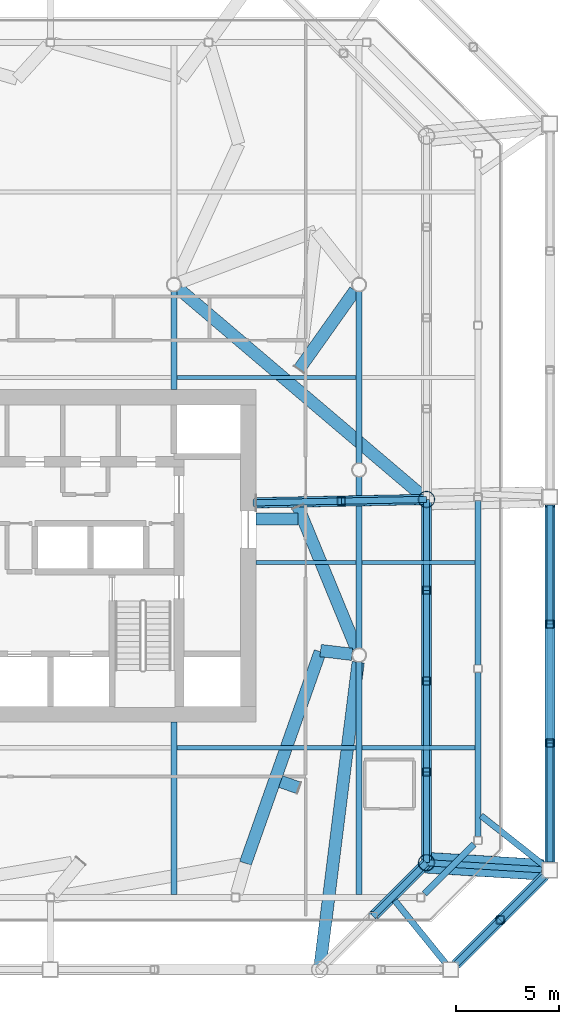
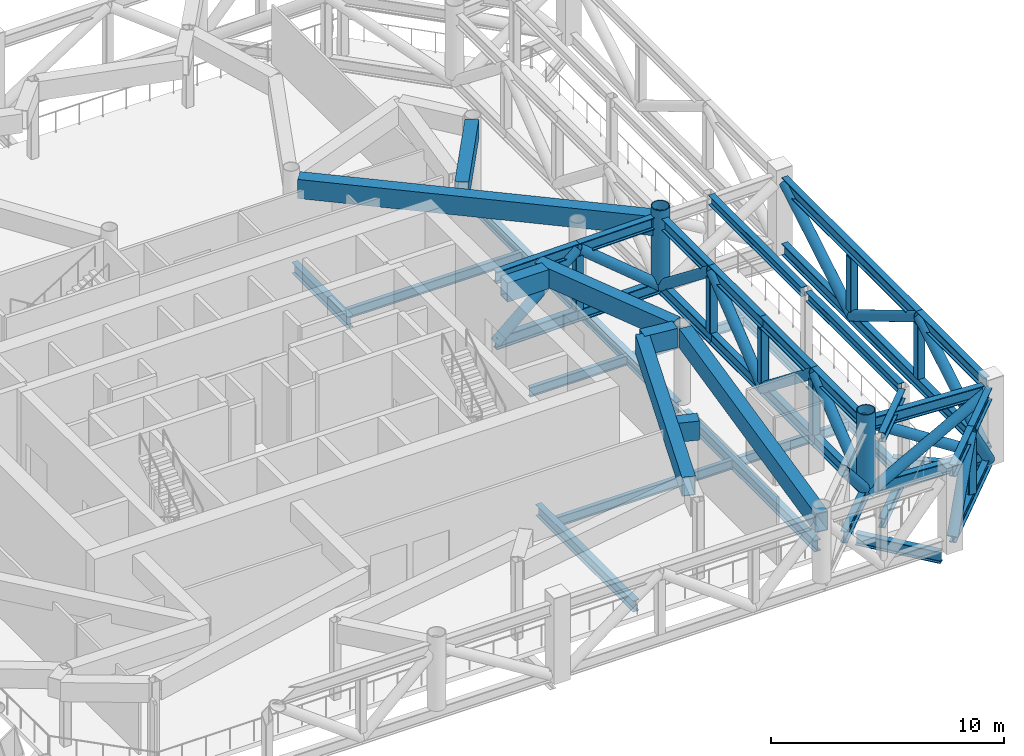
# One storey, part 5 of 21: 48 beams, 23 members.
"""IFC4 building model written with IfcOpenShell, lengths in metres."""

import ifcopenshell
import ifcopenshell.guid

model = None  # the IFC model being written
_history = None  # IfcOwnerHistory: only IFC2X3 demands one
_inside = {}  # id of a spatial element -> (the spatial element, [elements in it])
_under = {}  # id of a project, library or spatial element -> (it, [spatial elements below it])
_declared = {}  # id of a project -> (the project, [libraries it declares])
_typed = {}  # id of a type object -> (the type object, [elements of that type])
_made_of = {}  # id of a material, layer set ... -> (it, [elements and type objects made of it])


def new_model(schema):
    """Start an empty IFC model of exactly this schema.

    Asked for "IFC4X3", IfcOpenShell would pick the latest addendum, in which some entities
    have other attributes; the version numbers below select the first issue.
    IFC2X3 requires an IfcOwnerHistory on every rooted entity: one is made here for all.
    """
    global model, _history
    if schema == "IFC4X3":
        model = ifcopenshell.file(schema_version=(4, 3, 0, 0))
    else:
        model = ifcopenshell.file(schema=schema)
    _inside.clear()
    _under.clear()
    _declared.clear()
    _typed.clear()
    _made_of.clear()
    _history = None
    if model.schema == "IFC2X3":
        org = make("IfcOrganization", Name="unknown")
        user = make(
            "IfcPersonAndOrganization",
            ThePerson=make("IfcPerson", FamilyName="unknown"),
            TheOrganization=org,
        )
        app = make(
            "IfcApplication",
            ApplicationDeveloper=org,
            Version="unknown",
            ApplicationFullName="unknown",
            ApplicationIdentifier="unknown",
        )
        _history = make(
            "IfcOwnerHistory",
            OwningUser=user,
            OwningApplication=app,
            ChangeAction="ADDED",
            CreationDate=0,
        )
    return model


def make(cls, **values):
    """One entity of the class cls with the attributes given. An attribute that is None is left unset."""
    return model.create_entity(
        cls, **{name: value for name, value in values.items() if value is not None}
    )


def rooted(cls, **values):
    """An entity with a GlobalId (a new one), such as an element, a storey or a relation."""
    return make(cls, GlobalId=ifcopenshell.guid.new(), OwnerHistory=_history, **values)


def si_unit(unit_type, name, prefix=None):
    """IfcSIUnit, for example si_unit("LENGTHUNIT", "METRE", prefix="MILLI")."""
    return make("IfcSIUnit", UnitType=unit_type, Prefix=prefix, Name=name)


def assignment(units):
    """IfcUnitAssignment: the units of a project."""
    return None if units is None else make("IfcUnitAssignment", Units=units)


def point(xyz):
    """IfcCartesianPoint."""
    return None if xyz is None else make("IfcCartesianPoint", Coordinates=xyz)


def direction(xyz):
    """IfcDirection."""
    return None if xyz is None else make("IfcDirection", DirectionRatios=xyz)


def frame(location, z_axis=None, x_axis=None):
    """IfcAxis2Placement3D, a coordinate frame: its origin and axes. An axis left out is left unset."""
    return make(
        "IfcAxis2Placement3D",
        Location=point(location),
        Axis=direction(z_axis),
        RefDirection=direction(x_axis),
    )


def frame_2d(location, x_axis=None):
    """IfcAxis2Placement2D, a coordinate frame in the plane: its origin and x axis."""
    return make(
        "IfcAxis2Placement2D", Location=point(location), RefDirection=direction(x_axis)
    )


def origin():
    """The frame at (0, 0, 0) with its axes left unset."""
    return frame((0.0, 0.0, 0.0))


def origin_2d():
    """The frame at (0, 0) in the plane with its x axis left unset."""
    return frame_2d((0.0, 0.0))


def place(relative_to, where):
    """IfcLocalPlacement: puts the frame where relative to a parent placement (None: the world)."""
    return make(
        "IfcLocalPlacement", PlacementRelTo=relative_to, RelativePlacement=where
    )


def context(
    kind, dimensions, precision=None, world=None, true_north=None, identifier=None
):
    """IfcGeometricRepresentationContext, for example the 3D "Model" context."""
    return make(
        "IfcGeometricRepresentationContext",
        ContextIdentifier=identifier,
        ContextType=kind,
        CoordinateSpaceDimension=dimensions,
        Precision=precision,
        WorldCoordinateSystem=world,
        TrueNorth=true_north,
    )


def subcontext(parent, identifier, kind, view, scale=None):
    """IfcGeometricRepresentationSubContext, for example "Body" below "Model"."""
    return make(
        "IfcGeometricRepresentationSubContext",
        ContextIdentifier=identifier,
        ContextType=kind,
        ParentContext=parent,
        TargetScale=scale,
        TargetView=view,
    )


def project(units=None, contexts=None):
    """IfcProject with its units and contexts."""
    return rooted(
        "IfcProject",
        Name="project",
        RepresentationContexts=contexts,
        UnitsInContext=assignment(units),
    )


def spatial(cls, under=None, at=None, **own):
    """A site, building, storey or space (cls), placed at a placement, below another one or the project."""
    s = rooted(cls, ObjectPlacement=at, **own)
    if under is not None:
        _under.setdefault(under.id(), (under, []))[1].append(s)
    return s


def profile(cls, at=None, kind="AREA", **sizes):
    """A parametric profile (cls). Its sizes go by their IFC names, for example OverallWidth=200.0."""
    return make(cls, ProfileType=kind, Position=at, **sizes)


def hollow_rectangle(**sizes):
    """IfcRectangleHollowProfileDef."""
    return profile("IfcRectangleHollowProfileDef", **sizes)


def hollow_circle(**sizes):
    """IfcCircleHollowProfileDef."""
    return profile("IfcCircleHollowProfileDef", **sizes)


def i_section(**sizes):
    """IfcIShapeProfileDef."""
    return profile("IfcIShapeProfileDef", **sizes)


def extrude(swept, where, along, depth):
    """IfcExtrudedAreaSolid: the profile swept, set in the frame where, extruded along a direction by depth."""
    return make(
        "IfcExtrudedAreaSolid",
        SweptArea=swept,
        Position=where,
        ExtrudedDirection=direction(along),
        Depth=depth,
    )


def shape(context_of_items, identifier, shape_type, items):
    """IfcShapeRepresentation: the items that make up one representation, for example the "Body"."""
    return make(
        "IfcShapeRepresentation",
        ContextOfItems=context_of_items,
        RepresentationIdentifier=identifier,
        RepresentationType=shape_type,
        Items=items,
    )


def material(Name=None, Category=None):
    """IfcMaterial."""
    return make("IfcMaterial", Name=Name, Category=Category)


def material_profile(
    of_material, cross_section, Name=None, Category=None, Priority=None
):
    """IfcMaterialProfile: a cross section and its material."""
    return make(
        "IfcMaterialProfile",
        Name=Name,
        Material=of_material,
        Profile=cross_section,
        Priority=Priority,
        Category=Category,
    )


def profile_set(profiles, Name=None, composite=None):
    """IfcMaterialProfileSet."""
    return make(
        "IfcMaterialProfileSet",
        Name=Name,
        MaterialProfiles=profiles,
        CompositeProfile=composite,
    )


def made_of(thing, what):
    """Note that an element or type object is made of a material, layer set ...; save() writes the relation."""
    if what is not None:
        _made_of.setdefault(what.id(), (what, []))[1].append(thing)
    return thing


def type_object(cls, material=None, **own):
    """A type object (cls), such as IfcWallType, which elements share."""
    return made_of(rooted(cls, **own), material)


def element(
    cls,
    number,
    at=None,
    inside=None,
    cuts=None,
    type_object=None,
    material=None,
    context=None,
    identifier="Body",
    shape_type=None,
    held_by="IfcProductDefinitionShape",
    body=None,
    shapes=None,
    **own,
):
    """One element of the class cls, such as IfcWall. Its Tag is "e" and its number.

    at: its placement. inside: the storey or other place that contains it. cuts: it is an
    opening in that element (IfcRelVoidsElement). A single representation is given by context,
    identifier, shape_type and body (its items); several are given by shapes. held_by: the class
    of the entity that holds the representations. save() writes the other relations.
    """
    e = rooted(cls, Tag="e%d" % number, ObjectPlacement=at, **own)
    if body is not None:
        shapes = [shape(context, identifier, shape_type, body)]
    if shapes is not None:
        e.Representation = make(held_by, Representations=shapes)
    if inside is not None:
        _inside.setdefault(inside.id(), (inside, []))[1].append(e)
    if cuts is not None:
        rooted(
            "IfcRelVoidsElement", RelatingBuildingElement=cuts, RelatedOpeningElement=e
        )
    if type_object is not None:
        _typed.setdefault(type_object.id(), (type_object, []))[1].append(e)
    return made_of(e, material)


def aggregate(whole, parts):
    """IfcRelAggregates: a whole, such as a stair, and the parts it consists of."""
    return rooted("IfcRelAggregates", RelatingObject=whole, RelatedObjects=parts)


def save(model, path):
    """Write the relations noted so far, then the file.

    IfcRelAggregates (storeys below a building ...), IfcRelContainedInSpatialStructure (elements
    in a storey), IfcRelDefinesByType, IfcRelAssociatesMaterial and IfcRelDeclares: one each for
    every whole, place, type object, material and project.
    """
    for whole, parts in _under.values():
        aggregate(whole, parts)
    for where, things in _inside.values():
        rooted(
            "IfcRelContainedInSpatialStructure",
            RelatedElements=things,
            RelatingStructure=where,
        )
    for kind, things in _typed.values():
        rooted("IfcRelDefinesByType", RelatedObjects=things, RelatingType=kind)
    for what, things in _made_of.values():
        rooted("IfcRelAssociatesMaterial", RelatedObjects=things, RelatingMaterial=what)
    for by, libraries in _declared.values():
        rooted("IfcRelDeclares", RelatingContext=by, RelatedDefinitions=libraries)
    model.write(path)


model = new_model("IFC4")

# Units and contexts
model_context = context("Model", 3, precision=1e-05, world=origin(), true_north=direction((0.0, 1.0)))
body_context = subcontext(model_context, "Body", "Model", "MODEL_VIEW")
ifc_project = project(units=[si_unit("LENGTHUNIT", "METRE"), si_unit("AREAUNIT", "SQUARE_METRE"), si_unit("VOLUMEUNIT", "CUBIC_METRE"), si_unit("PLANEANGLEUNIT", "RADIAN"), si_unit("MASSUNIT", "GRAM", prefix="KILO")], contexts=[model_context])

# Site, building, storey
site_placement = place(None, origin())
site = spatial("IfcSite", under=ifc_project, at=site_placement, CompositionType="ELEMENT")
building_placement = place(site_placement, origin())
building = spatial("IfcBuilding", under=site, at=building_placement, Name="Tskaro Facet Tower", CompositionType="ELEMENT")
storey_placement = place(building_placement, frame((0.0, 0.0, 167.699951171875)))
storey = spatial("IfcBuildingStorey", under=building, at=storey_placement, Name="L41", CompositionType="ELEMENT", Elevation=167.699951171875)

# Beams
ifc_material_1 = material(Name="Steel S355J2", Category="steel")
ifc_material_profile_1 = material_profile(ifc_material_1, hollow_rectangle(XDim=0.60009765625, YDim=1.0, WallThickness=0.0400390625, at=origin_2d()), Name="BOX 600x1000x40")
ifc_profile_set_1 = profile_set([ifc_material_profile_1], Name="Steel S355J2")
beam_type_1 = type_object("IfcBeamType", Name="BOX 600x1000x40 transfer girder", PredefinedType="BEAM", material=ifc_profile_set_1)
beam_1_placement = place(storey_placement, frame((16.129150390625, -8.77783203125, 3.580078125), z_axis=(0.993025478105, -0.117899956892, 0.0), x_axis=(0.117899956892, 0.993025478105, 0.0)))
element("IfcBeam", 1, at=beam_1_placement, inside=storey, type_object=beam_type_1, Name="BOX 600x1000x40 TG4-13", PredefinedType="BEAM", context=body_context, shape_type="SweptSolid", body=[
    extrude(hollow_rectangle(XDim=0.60009765625, YDim=1.0, WallThickness=0.0400390625, at=origin_2d()), origin(), (0.0, 0.0, 1.0), 1.53857421875),
])
beam_2_placement = place(storey_placement, frame((16.109130859375, -8.83447265625, 3.580078125), z_axis=(-0.332965408784, -0.942939041802, 0.0), x_axis=(0.942939041802, -0.332965408784, 0.0)))
element("IfcBeam", 2, at=beam_2_placement, inside=storey, type_object=beam_type_1, Name="BOX 600x1000x40 TG4-14", PredefinedType="BEAM", context=body_context, shape_type="SweptSolid", body=[
    extrude(hollow_rectangle(XDim=0.60009765625, YDim=1.0, WallThickness=0.0400390625, at=origin_2d()), origin(), (0.0, 0.0, 1.0), 10.898681640625),
])
beam_3_placement = place(storey_placement, frame((21.27587890625, -1.43408203125, 3.580078125), z_axis=(-0.76195765754, 0.647626843264, 0.0), x_axis=(-0.647626843264, -0.76195765754, 0.0)))
element("IfcBeam", 3, at=beam_3_placement, inside=storey, type_object=beam_type_1, Name="BOX 600x1000x40 TG4-15", PredefinedType="BEAM", context=body_context, shape_type="SweptSolid", body=[
    extrude(hollow_rectangle(XDim=0.60009765625, YDim=1.0, WallThickness=0.0400390625, at=origin_2d()), origin(), (0.0, 0.0, 1.0), 15.765625),
])
beam_4_placement = place(storey_placement, frame((15.032958984375, -1.79296875, 3.580078125), z_axis=(0.380685508719, -0.924704570904, 0.0), x_axis=(0.924704570904, 0.380685508719, 0.0)))
element("IfcBeam", 4, at=beam_4_placement, inside=storey, type_object=beam_type_1, Name="BOX 600x1000x40 TG4-22", PredefinedType="BEAM", context=body_context, shape_type="SweptSolid", body=[
    extrude(hollow_rectangle(XDim=0.60009765625, YDim=1.0, WallThickness=0.0400390625, at=origin_2d()), origin(), (0.0, 0.0, 1.0), 7.4482421875),
])
beam_5_placement = place(storey_placement, frame((15.032958984375, -2.383056640625, 3.580078125), z_axis=(-1.0, 0.0, 0.0), x_axis=(0.0, -1.0, 0.0)))
element("IfcBeam", 5, at=beam_5_placement, inside=storey, type_object=beam_type_1, Name="BOX 600x1000x40 TG4-23", PredefinedType="BEAM", context=body_context, shape_type="SweptSolid", body=[
    extrude(hollow_rectangle(XDim=0.60009765625, YDim=1.0, WallThickness=0.0400390625, at=origin_2d()), origin(), (0.0, 0.0, 1.0), 2.04296875),
])
beam_6_placement = place(storey_placement, frame((15.086181640625, 4.89013671875, 3.580078125), z_axis=(0.578340649472, 0.815795374569, 0.0), x_axis=(-0.815795374569, 0.578340649472, 0.0)))
element("IfcBeam", 6, at=beam_6_placement, inside=storey, type_object=beam_type_1, Name="BOX 600x1000x40 TG4-37", PredefinedType="BEAM", context=body_context, shape_type="SweptSolid", body=[
    extrude(hollow_rectangle(XDim=0.60009765625, YDim=1.0, WallThickness=0.0400390625, at=origin_2d()), origin(), (0.0, 0.0, 1.0), 4.692626953125),
])
beam_7_placement = place(storey_placement, frame((16.0849609375, -24.27587890625, 3.580078125), z_axis=(0.124390112695, 0.992233389815, 0.0), x_axis=(-0.992233389815, 0.124390112695, 0.0)))
element("IfcBeam", 7, at=beam_7_placement, inside=storey, type_object=beam_type_1, Name="BOX 600x1000x40 TG4-45", PredefinedType="BEAM", context=body_context, shape_type="SweptSolid", body=[
    extrude(hollow_rectangle(XDim=0.60009765625, YDim=1.0, WallThickness=0.0400390625, at=origin_2d()), origin(), (0.0, 0.0, 1.0), 15.050048828125),
])
beam_8_placement = place(storey_placement, frame((15.064453125, -15.449951171875, 3.580078125), z_axis=(-0.942927138895, 0.332999115216, 0.0), x_axis=(-0.332999115216, -0.942927138895, 0.0)))
element("IfcBeam", 8, at=beam_8_placement, inside=storey, type_object=beam_type_1, Name="BOX 600x1000x40 TG4-51", PredefinedType="BEAM", context=body_context, shape_type="SweptSolid", body=[
    extrude(hollow_rectangle(XDim=0.60009765625, YDim=1.0, WallThickness=0.0400390625, at=origin_2d()), origin(), (0.0, 0.0, 1.0), 0.927490234375),
])

# Members
ifc_material_2 = material(Name="Steel S355J2H", Category="steel")
ifc_material_profile_2 = material_profile(ifc_material_2, hollow_circle(Radius=0.25390625, WallThickness=0.02490234375, at=origin_2d()), Name="CHS 508x25")
ifc_profile_set_2 = profile_set([ifc_material_profile_2], Name="Steel S355J2H")
member_type_1 = type_object("IfcMemberType", Name="CHS 508x25 belt diagonal", PredefinedType="BRACE", material=ifc_profile_set_2)
for number, where, z_axis, x_axis, name in (
    (9, (22.73291015625, -23.9931640625, 0.31005859375), (0.464321211448, 0.464321211448, 0.754196012452), (-0.707106781187, 0.707106781187, 0.0), "CHS 508x25 BD3-031"),
    (10, (24.863037109375, -21.863037109375, 3.77001953125), (0.464321211448, 0.464321211448, -0.754196012452), (-0.707106781187, 0.707106781187, 0.0), "CHS 508x25 BD3-032"),
):
    element("IfcMember", number, at=place(storey_placement, frame(where, z_axis=z_axis, x_axis=x_axis)), inside=storey, type_object=member_type_1, Name=name, PredefinedType="BRACE", context=body_context, shape_type="SweptSolid", body=[
        extrude(hollow_circle(Radius=0.25390625, WallThickness=0.02490234375, at=origin_2d()), origin(), (0.0, 0.0, 1.0), 4.587646484375),
    ])
for number, where, z_axis, x_axis, name in (
    (11, (27.27587890625, -19.050048828125, 0.31005859375), (0.0, 0.857943596713, 0.513743890337), (-1.0, 0.0, 0.0), "CHS 508x25 BD3-041"),
    (12, (27.27587890625, -13.27197265625, 3.77001953125), (0.0, 0.857943596713, -0.513743890337), (-1.0, 0.0, 0.0), "CHS 508x25 BD3-042"),
):
    element("IfcMember", number, at=place(storey_placement, frame(where, z_axis=z_axis, x_axis=x_axis)), inside=storey, type_object=member_type_1, Name=name, PredefinedType="BRACE", context=body_context, shape_type="SweptSolid", body=[
        extrude(hollow_circle(Radius=0.25390625, WallThickness=0.02490234375, at=origin_2d()), origin(), (0.0, 0.0, 1.0), 6.73486328125),
    ])
member_1_placement = place(storey_placement, frame((27.27587890625, -7.493896484375, 0.31005859375), z_axis=(0.0, 0.857934028538, 0.513759868691), x_axis=(-1.0, 0.0, 0.0)))
element("IfcMember", 13, at=member_1_placement, inside=storey, type_object=member_type_1, Name="CHS 508x25 BD3-043", PredefinedType="BRACE", context=body_context, shape_type="SweptSolid", body=[
    extrude(hollow_circle(Radius=0.25390625, WallThickness=0.02490234375, at=origin_2d()), origin(), (0.0, 0.0, 1.0), 6.734619140625),
])
member_2_placement = place(storey_placement, frame((18.680419921875, -21.680419921875, 3.77001953125), z_axis=(0.51454130618, 0.51454130618, -0.685926008013), x_axis=(-0.707106781187, 0.707106781187, 0.0)))
element("IfcMember", 14, at=member_2_placement, inside=storey, type_object=member_type_1, Name="CHS 508x25 TB3-03-D2", PredefinedType="BRACE", context=body_context, shape_type="SweptSolid", body=[
    extrude(hollow_circle(Radius=0.25390625, WallThickness=0.02490234375, at=origin_2d()), origin(), (0.0, 0.0, 1.0), 5.044189453125),
])
for number, where, z_axis, x_axis, name in (
    (15, (21.27587890625, -19.0849609375, 0.31005859375), (0.0, 0.786931348807, 0.61704055966), (-1.0, 0.0, 0.0), "CHS 508x25 TB3-04-D1"),
    (16, (21.27587890625, -14.67236328125, 3.77001953125), (0.0, 0.78694792511, -0.617019418791), (-1.0, 0.0, 0.0), "CHS 508x25 TB3-04-D2"),
    (17, (21.27587890625, -10.259521484375, 0.31005859375), (0.0, 0.78694792511, 0.617019418791), (-1.0, 0.0, 0.0), "CHS 508x25 TB3-04-D3"),
    (18, (21.27587890625, -5.8466796875, 3.77001953125), (0.0, 0.786931348807, -0.61704055966), (-1.0, 0.0, 0.0), "CHS 508x25 TB3-04-D4"),
):
    element("IfcMember", number, at=place(storey_placement, frame(where, z_axis=z_axis, x_axis=x_axis)), inside=storey, type_object=member_type_1, Name=name, PredefinedType="BRACE", context=body_context, shape_type="SweptSolid", body=[
        extrude(hollow_circle(Radius=0.25390625, WallThickness=0.02490234375, at=origin_2d()), origin(), (0.0, 0.0, 1.0), 5.607421875),
    ])
member_3_placement = place(storey_placement, frame((26.89208984375, -19.172119140625, 0.31005859375), z_axis=(-0.849609112808, 0.051665419022, 0.524876213893), x_axis=(-0.060698683883, -0.998156134968, 0.0)))
element("IfcMember", 19, at=member_3_placement, inside=storey, type_object=member_type_1, Name="CHS 508x25 TL3-04A-D1", PredefinedType="BRACE", context=body_context, shape_type="SweptSolid", body=[
    extrude(hollow_circle(Radius=0.25390625, WallThickness=0.02490234375, at=origin_2d()), origin(), (0.0, 0.0, 1.0), 6.592041015625),
])
member_4_placement = place(storey_placement, frame((26.861328125, -19.67919921875, 3.77001953125), z_axis=(-0.849619414456, 0.051663793347, -0.52485969843), x_axis=(-0.06069604777, -0.998156295269, 0.0)))
element("IfcMember", 20, at=member_4_placement, inside=storey, type_object=member_type_1, Name="CHS 508x25 TL3-04A-D2", PredefinedType="BRACE", context=body_context, shape_type="SweptSolid", body=[
    extrude(hollow_circle(Radius=0.25390625, WallThickness=0.02490234375, at=origin_2d()), origin(), (0.0, 0.0, 1.0), 6.59228515625),
])
for number, where, z_axis, x_axis, name in (
    (21, (21.27587890625, -1.43408203125, 0.31005859375), (-0.767068307676, -0.015070726677, 0.641388403822), (0.019643385903, -0.99980705008, 0.0), "CHS 508x25 TL3-05B-D1"),
    (22, (17.137939453125, -1.515380859375, 3.77001953125), (-0.767068307676, -0.015070726677, -0.641388403822), (0.019643385903, -0.99980705008, 0.0), "CHS 508x25 TL3-05B-D2"),
):
    element("IfcMember", number, at=place(storey_placement, frame(where, z_axis=z_axis, x_axis=x_axis)), inside=storey, type_object=member_type_1, Name=name, PredefinedType="BRACE", context=body_context, shape_type="SweptSolid", body=[
        extrude(hollow_circle(Radius=0.25390625, WallThickness=0.02490234375, at=origin_2d()), origin(), (0.0, 0.0, 1.0), 5.39453125),
    ])
ifc_material_profile_3 = material_profile(ifc_material_2, hollow_circle(Radius=0.406494140625, WallThickness=0.035888671875, at=origin_2d()), Name="CHS 812.8x36")
ifc_profile_set_3 = profile_set([ifc_material_profile_3], Name="Steel S355J2H")
member_type_2 = type_object("IfcMemberType", Name="CHS 812.8x36 transfer node post", PredefinedType="POST", material=ifc_profile_set_3)
for number, where, z_axis, x_axis, name in (
    (23, (21.27587890625, -19.0849609375, 0.6201171875), (0.0, 0.0, 1.0), (1.0, 0.0, 0.0), "CHS 812.8x36 TN3-04"),
    (24, (21.27587890625, -1.43408203125, 0.6201171875), (0.0, 0.0, 1.0), (1.0, 0.0, 0.0), "CHS 812.8x36 TN3-05"),
):
    element("IfcMember", number, at=place(storey_placement, frame(where, z_axis=z_axis, x_axis=x_axis)), inside=storey, type_object=member_type_2, Name=name, PredefinedType="POST", context=body_context, shape_type="SweptSolid", body=[
        extrude(hollow_circle(Radius=0.406494140625, WallThickness=0.035888671875, at=origin_2d()), origin(), (0.0, 0.0, 1.0), 3.8798828125),
    ])

# Beams
ifc_material_profile_4 = material_profile(ifc_material_1, i_section(OverallWidth=0.300048828125, OverallDepth=0.5, WebThickness=0.014404296875, FlangeThickness=0.028076171875, FilletRadius=0.027099609375, at=origin_2d()), Name="HE 500 B")
ifc_profile_set_4 = profile_set([ifc_material_profile_4], Name="Steel S355J2")
beam_type_2 = type_object("IfcBeamType", Name="HE 500 B ring beam", PredefinedType="BEAM", material=ifc_profile_set_4)
beam_9_placement = place(storey_placement, frame((21.184814453125, -20.588134765625, -0.5), z_axis=(0.707106781187, 0.707106781187, 0.0), x_axis=(-0.707106781187, 0.707106781187, 0.0)))
element("IfcBeam", 25, at=beam_9_placement, inside=storey, type_object=beam_type_2, Name="HE 500 B EB5-3", PredefinedType="BEAM", context=body_context, shape_type="SweptSolid", body=[
    extrude(i_section(OverallWidth=0.300048828125, OverallDepth=0.5, WebThickness=0.014404296875, FlangeThickness=0.028076171875, FilletRadius=0.027099609375, at=origin_2d()), origin(), (0.0, 0.0, 1.0), 3.39892578125),
])
beam_10_placement = place(storey_placement, frame((23.77392578125, -17.819091796875, -0.5), z_axis=(0.0, 1.0, 0.0), x_axis=(-1.0, 0.0, 0.0)))
element("IfcBeam", 26, at=beam_10_placement, inside=storey, type_object=beam_type_2, Name="HE 500 B EB6-3", PredefinedType="BEAM", context=body_context, shape_type="SweptSolid", body=[
    extrude(i_section(OverallWidth=0.300048828125, OverallDepth=0.5, WebThickness=0.014404296875, FlangeThickness=0.028076171875, FilletRadius=0.027099609375, at=origin_2d()), origin(), (0.0, 0.0, 1.0), 7.982177734375),
])
beam_11_placement = place(storey_placement, frame((23.77392578125, -9.47705078125, -0.5), z_axis=(0.0, 1.0, 0.0), x_axis=(-1.0, 0.0, 0.0)))
element("IfcBeam", 27, at=beam_11_placement, inside=storey, type_object=beam_type_2, Name="HE 500 B EB7-3", PredefinedType="BEAM", context=body_context, shape_type="SweptSolid", body=[
    extrude(i_section(OverallWidth=0.300048828125, OverallDepth=0.5, WebThickness=0.014404296875, FlangeThickness=0.028076171875, FilletRadius=0.027099609375, at=origin_2d()), origin(), (0.0, 0.0, 1.0), 7.98095703125),
])
beam_12_placement = place(storey_placement, frame((21.184814453125, -20.588134765625, 4.0), z_axis=(0.707106781187, 0.707106781187, 0.0), x_axis=(-0.707106781187, 0.707106781187, 0.0)))
element("IfcBeam", 28, at=beam_12_placement, inside=storey, type_object=beam_type_2, Name="HE 500 B EB5-3R", PredefinedType="BEAM", context=body_context, shape_type="SweptSolid", body=[
    extrude(i_section(OverallWidth=0.300048828125, OverallDepth=0.5, WebThickness=0.014404296875, FlangeThickness=0.028076171875, FilletRadius=0.027099609375, at=origin_2d()), origin(), (0.0, 0.0, 1.0), 3.39892578125),
])
beam_13_placement = place(storey_placement, frame((23.77392578125, -17.819091796875, 4.0), z_axis=(0.0, 1.0, 0.0), x_axis=(-1.0, 0.0, 0.0)))
element("IfcBeam", 29, at=beam_13_placement, inside=storey, type_object=beam_type_2, Name="HE 500 B EB6-3R", PredefinedType="BEAM", context=body_context, shape_type="SweptSolid", body=[
    extrude(i_section(OverallWidth=0.300048828125, OverallDepth=0.5, WebThickness=0.014404296875, FlangeThickness=0.028076171875, FilletRadius=0.027099609375, at=origin_2d()), origin(), (0.0, 0.0, 1.0), 7.982177734375),
])
beam_14_placement = place(storey_placement, frame((23.77392578125, -9.47705078125, 4.0), z_axis=(0.0, 1.0, 0.0), x_axis=(-1.0, 0.0, 0.0)))
element("IfcBeam", 30, at=beam_14_placement, inside=storey, type_object=beam_type_2, Name="HE 500 B EB7-3R", PredefinedType="BEAM", context=body_context, shape_type="SweptSolid", body=[
    extrude(i_section(OverallWidth=0.300048828125, OverallDepth=0.5, WebThickness=0.014404296875, FlangeThickness=0.028076171875, FilletRadius=0.027099609375, at=origin_2d()), origin(), (0.0, 0.0, 1.0), 7.98095703125),
])
ifc_material_profile_5 = material_profile(ifc_material_1, i_section(OverallWidth=0.300048828125, OverallDepth=0.590087890625, WebThickness=0.012939453125, FlangeThickness=0.02490234375, FilletRadius=0.027099609375, at=origin_2d()), Name="HE 600 A")
ifc_profile_set_5 = profile_set([ifc_material_profile_5], Name="Steel S355J2")
beam_type_3 = type_object("IfcBeamType", Name="HE 600 A girder", PredefinedType="BEAM", material=ifc_profile_set_5)
beam_15_placement = place(storey_placement, frame((9.0, -20.6240234375, -0.544921875), z_axis=(0.0, 1.0, 0.0), x_axis=(-1.0, 0.0, 0.0)))
element("IfcBeam", 31, at=beam_15_placement, inside=storey, type_object=beam_type_3, Name="HE 600 A GB5-1-3", PredefinedType="BEAM", context=body_context, shape_type="SweptSolid", body=[
    extrude(i_section(OverallWidth=0.300048828125, OverallDepth=0.590087890625, WebThickness=0.012939453125, FlangeThickness=0.02490234375, FilletRadius=0.027099609375, at=origin_2d()), origin(), (0.0, 0.0, 1.0), 8.3740234375),
])
beam_16_placement = place(storey_placement, frame((9.0, 3.89990234375, -0.544921875), z_axis=(0.0, 1.0, 0.0), x_axis=(-1.0, 0.0, 0.0)))
element("IfcBeam", 32, at=beam_16_placement, inside=storey, type_object=beam_type_3, Name="HE 600 A GB5-2-3", PredefinedType="BEAM", context=body_context, shape_type="SweptSolid", body=[
    extrude(i_section(OverallWidth=0.300048828125, OverallDepth=0.590087890625, WebThickness=0.012939453125, FlangeThickness=0.02490234375, FilletRadius=0.027099609375, at=origin_2d()), origin(), (0.0, 0.0, 1.0), 4.774658203125),
])
beam_17_placement = place(storey_placement, frame((18.0, -20.6240234375, -0.544921875), z_axis=(0.0, 1.0, 0.0), x_axis=(-1.0, 0.0, 0.0)))
element("IfcBeam", 33, at=beam_17_placement, inside=storey, type_object=beam_type_3, Name="HE 600 A GB6-1-3", PredefinedType="BEAM", context=body_context, shape_type="SweptSolid", body=[
    extrude(i_section(OverallWidth=0.300048828125, OverallDepth=0.590087890625, WebThickness=0.012939453125, FlangeThickness=0.02490234375, FilletRadius=0.027099609375, at=origin_2d()), origin(), (0.0, 0.0, 1.0), 11.298583984375),
])
for number, where, z_axis, x_axis, name in (
    (34, (18.0, -8.674560546875, -0.544921875), (0.0, 1.0, 0.0), (-1.0, 0.0, 0.0), "HE 600 A GB6-2-3"),
    (35, (18.0, 0.325439453125, -0.544921875), (0.0, 1.0, 0.0), (-1.0, 0.0, 0.0), "HE 600 A GB6-3-3"),
):
    element("IfcBeam", number, at=place(storey_placement, frame(where, z_axis=z_axis, x_axis=x_axis)), inside=storey, type_object=beam_type_3, Name=name, PredefinedType="BEAM", context=body_context, shape_type="SweptSolid", body=[
        extrude(i_section(OverallWidth=0.300048828125, OverallDepth=0.590087890625, WebThickness=0.012939453125, FlangeThickness=0.02490234375, FilletRadius=0.027099609375, at=origin_2d()), origin(), (0.0, 0.0, 1.0), 8.34912109375),
    ])
ifc_material_profile_6 = material_profile(ifc_material_1, i_section(OverallWidth=0.300048828125, OverallDepth=0.60009765625, WebThickness=0.015380859375, FlangeThickness=0.030029296875, FilletRadius=0.027099609375, at=origin_2d()), Name="HE 600 B")
ifc_profile_set_6 = profile_set([ifc_material_profile_6], Name="Steel S355J2")
beam_type_4 = type_object("IfcBeamType", Name="HE 600 B floor strut", PredefinedType="BEAM", material=ifc_profile_set_6)
beam_18_placement = place(storey_placement, frame((22.198486328125, -23.965087890625, -0.550048828125), z_axis=(-0.629068959222, 0.77734949961, 0.0), x_axis=(-0.77734949961, -0.629068959222, 0.0)))
element("IfcBeam", 36, at=beam_18_placement, inside=storey, type_object=beam_type_4, Name="HE 600 B ES3-03", PredefinedType="BEAM", context=body_context, shape_type="SweptSolid", body=[
    extrude(i_section(OverallWidth=0.300048828125, OverallDepth=0.60009765625, WebThickness=0.015380859375, FlangeThickness=0.030029296875, FilletRadius=0.027099609375, at=origin_2d()), origin(), (0.0, 0.0, 1.0), 3.912109375),
])
beam_19_placement = place(storey_placement, frame((26.96240234375, -19.201904296875, -0.550048828125), z_axis=(-0.784177411315, 0.62053669318, 0.0), x_axis=(-0.62053669318, -0.784177411315, 0.0)))
element("IfcBeam", 37, at=beam_19_placement, inside=storey, type_object=beam_type_4, Name="HE 600 B ES3-04", PredefinedType="BEAM", context=body_context, shape_type="SweptSolid", body=[
    extrude(i_section(OverallWidth=0.300048828125, OverallDepth=0.60009765625, WebThickness=0.015380859375, FlangeThickness=0.030029296875, FilletRadius=0.027099609375, at=origin_2d()), origin(), (0.0, 0.0, 1.0), 3.87451171875),
])
ifc_material_profile_7 = material_profile(ifc_material_1, i_section(OverallWidth=0.304931640625, OverallDepth=0.6201171875, WebThickness=0.02099609375, FlangeThickness=0.0400390625, FilletRadius=0.027099609375, at=origin_2d()), Name="HE 600 M")
ifc_profile_set_7 = profile_set([ifc_material_profile_7], Name="Steel S355J2")
beam_type_5 = type_object("IfcBeamType", Name="HE 600 M belt chord", PredefinedType="BEAM", material=ifc_profile_set_7)
for number, where, z_axis, x_axis, name in (
    (38, (22.73291015625, -23.9931640625, 3.77001953125), (0.707106781187, 0.707106781187, 0.0), (-0.707106781187, 0.707106781187, 0.0), "HE 600 M BT3-03T1"),
    (39, (24.863037109375, -21.863037109375, 3.77001953125), (0.707106781187, 0.707106781187, 0.0), (-0.707106781187, 0.707106781187, 0.0), "HE 600 M BT3-03T2"),
):
    element("IfcBeam", number, at=place(storey_placement, frame(where, z_axis=z_axis, x_axis=x_axis)), inside=storey, type_object=beam_type_5, Name=name, PredefinedType="BEAM", context=body_context, shape_type="SweptSolid", body=[
        extrude(i_section(OverallWidth=0.304931640625, OverallDepth=0.6201171875, WebThickness=0.02099609375, FlangeThickness=0.0400390625, FilletRadius=0.027099609375, at=origin_2d()), origin(), (0.0, 0.0, 1.0), 3.012451171875),
    ])
beam_20_placement = place(storey_placement, frame((22.73291015625, -23.9931640625, 0.31005859375), z_axis=(0.707106781187, 0.707106781187, 0.0), x_axis=(-0.707106781187, 0.707106781187, 0.0)))
element("IfcBeam", 40, at=beam_20_placement, inside=storey, type_object=beam_type_5, Name="HE 600 M BT3-03B1", PredefinedType="BEAM", context=body_context, shape_type="SweptSolid", body=[
    extrude(i_section(OverallWidth=0.304931640625, OverallDepth=0.6201171875, WebThickness=0.02099609375, FlangeThickness=0.0400390625, FilletRadius=0.027099609375, at=origin_2d()), origin(), (0.0, 0.0, 1.0), 6.02490234375),
])
beam_21_placement = place(storey_placement, frame((27.27587890625, -19.050048828125, 3.77001953125), z_axis=(0.0, 1.0, 0.0), x_axis=(-1.0, 0.0, 0.0)))
element("IfcBeam", 41, at=beam_21_placement, inside=storey, type_object=beam_type_5, Name="HE 600 M BT3-04T1", PredefinedType="BEAM", context=body_context, shape_type="SweptSolid", body=[
    extrude(i_section(OverallWidth=0.304931640625, OverallDepth=0.6201171875, WebThickness=0.02099609375, FlangeThickness=0.0400390625, FilletRadius=0.027099609375, at=origin_2d()), origin(), (0.0, 0.0, 1.0), 5.778076171875),
])
beam_22_placement = place(storey_placement, frame((27.27587890625, -13.27197265625, 3.77001953125), z_axis=(0.0, 1.0, 0.0), x_axis=(-1.0, 0.0, 0.0)))
element("IfcBeam", 42, at=beam_22_placement, inside=storey, type_object=beam_type_5, Name="HE 600 M BT3-04T2", PredefinedType="BEAM", context=body_context, shape_type="SweptSolid", body=[
    extrude(i_section(OverallWidth=0.304931640625, OverallDepth=0.6201171875, WebThickness=0.02099609375, FlangeThickness=0.0400390625, FilletRadius=0.027099609375, at=origin_2d()), origin(), (0.0, 0.0, 1.0), 11.555908203125),
])
beam_23_placement = place(storey_placement, frame((27.27587890625, -19.050048828125, 0.31005859375), z_axis=(0.0, 1.0, 0.0), x_axis=(-1.0, 0.0, 0.0)))
element("IfcBeam", 43, at=beam_23_placement, inside=storey, type_object=beam_type_5, Name="HE 600 M BT3-04B1", PredefinedType="BEAM", context=body_context, shape_type="SweptSolid", body=[
    extrude(i_section(OverallWidth=0.304931640625, OverallDepth=0.6201171875, WebThickness=0.02099609375, FlangeThickness=0.0400390625, FilletRadius=0.027099609375, at=origin_2d()), origin(), (0.0, 0.0, 1.0), 11.55615234375),
])
beam_24_placement = place(storey_placement, frame((27.27587890625, -7.493896484375, 0.31005859375), z_axis=(0.0, 1.0, 0.0), x_axis=(-1.0, 0.0, 0.0)))
element("IfcBeam", 44, at=beam_24_placement, inside=storey, type_object=beam_type_5, Name="HE 600 M BT3-04B2", PredefinedType="BEAM", context=body_context, shape_type="SweptSolid", body=[
    extrude(i_section(OverallWidth=0.304931640625, OverallDepth=0.6201171875, WebThickness=0.02099609375, FlangeThickness=0.0400390625, FilletRadius=0.027099609375, at=origin_2d()), origin(), (0.0, 0.0, 1.0), 5.77783203125),
])
beam_25_placement = place(storey_placement, frame((18.680419921875, -21.680419921875, 0.31005859375), z_axis=(0.707106781187, 0.707106781187, 0.0), x_axis=(-0.707106781187, 0.707106781187, 0.0)))
element("IfcBeam", 45, at=beam_25_placement, inside=storey, type_object=beam_type_5, Name="HE 600 M TB3-03-B2", PredefinedType="BEAM", context=body_context, shape_type="SweptSolid", body=[
    extrude(i_section(OverallWidth=0.304931640625, OverallDepth=0.6201171875, WebThickness=0.02099609375, FlangeThickness=0.0400390625, FilletRadius=0.027099609375, at=origin_2d()), origin(), (0.0, 0.0, 1.0), 3.670654296875),
])
for number, where, z_axis, x_axis, name in (
    (46, (21.27587890625, -19.0849609375, 3.77001953125), (0.0, 1.0, 0.0), (-1.0, 0.0, 0.0), "HE 600 M TB3-04-T1"),
    (47, (21.27587890625, -19.0849609375, 0.31005859375), (0.0, 1.0, 0.0), (-1.0, 0.0, 0.0), "HE 600 M TB3-04-B1"),
):
    element("IfcBeam", number, at=place(storey_placement, frame(where, z_axis=z_axis, x_axis=x_axis)), inside=storey, type_object=beam_type_5, Name=name, PredefinedType="BEAM", context=body_context, shape_type="SweptSolid", body=[
        extrude(i_section(OverallWidth=0.304931640625, OverallDepth=0.6201171875, WebThickness=0.02099609375, FlangeThickness=0.0400390625, FilletRadius=0.027099609375, at=origin_2d()), origin(), (0.0, 0.0, 1.0), 4.41259765625),
    ])
for number, where, z_axis, x_axis, name in (
    (48, (21.27587890625, -14.67236328125, 3.77001953125), (0.0, 1.0, 0.0), (-1.0, 0.0, 0.0), "HE 600 M TB3-04-T2"),
    (49, (21.27587890625, -14.67236328125, 0.31005859375), (0.0, 1.0, 0.0), (-1.0, 0.0, 0.0), "HE 600 M TB3-04-B2"),
    (50, (21.27587890625, -10.259521484375, 3.77001953125), (0.0, 1.0, 0.0), (-1.0, 0.0, 0.0), "HE 600 M TB3-04-T3"),
    (51, (21.27587890625, -10.259521484375, 0.31005859375), (0.0, 1.0, 0.0), (-1.0, 0.0, 0.0), "HE 600 M TB3-04-B3"),
):
    element("IfcBeam", number, at=place(storey_placement, frame(where, z_axis=z_axis, x_axis=x_axis)), inside=storey, type_object=beam_type_5, Name=name, PredefinedType="BEAM", context=body_context, shape_type="SweptSolid", body=[
        extrude(i_section(OverallWidth=0.304931640625, OverallDepth=0.6201171875, WebThickness=0.02099609375, FlangeThickness=0.0400390625, FilletRadius=0.027099609375, at=origin_2d()), origin(), (0.0, 0.0, 1.0), 4.412841796875),
    ])
for number, where, z_axis, x_axis, name in (
    (52, (21.27587890625, -5.8466796875, 3.77001953125), (0.0, 1.0, 0.0), (-1.0, 0.0, 0.0), "HE 600 M TB3-04-T4"),
    (53, (21.27587890625, -5.8466796875, 0.31005859375), (0.0, 1.0, 0.0), (-1.0, 0.0, 0.0), "HE 600 M TB3-04-B4"),
):
    element("IfcBeam", number, at=place(storey_placement, frame(where, z_axis=z_axis, x_axis=x_axis)), inside=storey, type_object=beam_type_5, Name=name, PredefinedType="BEAM", context=body_context, shape_type="SweptSolid", body=[
        extrude(i_section(OverallWidth=0.304931640625, OverallDepth=0.6201171875, WebThickness=0.02099609375, FlangeThickness=0.0400390625, FilletRadius=0.027099609375, at=origin_2d()), origin(), (0.0, 0.0, 1.0), 4.41259765625),
    ])
for number, where, z_axis, x_axis, name in (
    (54, (26.876708984375, -19.42578125, 3.77001953125), (-0.998153658336, 0.06073939702, 0.0), (-0.06073939702, -0.998153658336, 0.0), "HE 600 M TL3-04A-T1"),
    (55, (26.876708984375, -19.42578125, 0.31005859375), (-0.998153658336, 0.06073939702, 0.0), (-0.06073939702, -0.998153658336, 0.0), "HE 600 M TL3-04A-B1"),
):
    element("IfcBeam", number, at=place(storey_placement, frame(where, z_axis=z_axis, x_axis=x_axis)), inside=storey, type_object=beam_type_5, Name=name, PredefinedType="BEAM", context=body_context, shape_type="SweptSolid", body=[
        extrude(i_section(OverallWidth=0.304931640625, OverallDepth=0.6201171875, WebThickness=0.02099609375, FlangeThickness=0.0400390625, FilletRadius=0.027099609375, at=origin_2d()), origin(), (0.0, 0.0, 1.0), 5.611083984375),
    ])
for number, where, z_axis, x_axis, name in (
    (56, (21.27587890625, -1.43408203125, 3.77001953125), (-0.99980705008, -0.019643385903, 0.0), (0.019643385903, -0.99980705008, 0.0), "HE 600 M TL3-05B-T1"),
    (57, (21.27587890625, -1.43408203125, 0.31005859375), (-0.99980705008, -0.019643385903, 0.0), (0.019643385903, -0.99980705008, 0.0), "HE 600 M TL3-05B-B1"),
    (58, (17.137939453125, -1.515380859375, 3.77001953125), (-0.99980705008, -0.019643385903, 0.0), (0.019643385903, -0.99980705008, 0.0), "HE 600 M TL3-05B-T2"),
    (59, (17.137939453125, -1.515380859375, 0.31005859375), (-0.99980705008, -0.019643385903, 0.0), (0.019643385903, -0.99980705008, 0.0), "HE 600 M TL3-05B-B2"),
):
    element("IfcBeam", number, at=place(storey_placement, frame(where, z_axis=z_axis, x_axis=x_axis)), inside=storey, type_object=beam_type_5, Name=name, PredefinedType="BEAM", context=body_context, shape_type="SweptSolid", body=[
        extrude(i_section(OverallWidth=0.304931640625, OverallDepth=0.6201171875, WebThickness=0.02099609375, FlangeThickness=0.0400390625, FilletRadius=0.027099609375, at=origin_2d()), origin(), (0.0, 0.0, 1.0), 4.138671875),
    ])
ifc_material_profile_8 = material_profile(ifc_material_1, i_section(OverallWidth=0.199951171875, OverallDepth=0.5, WebThickness=0.01025390625, FlangeThickness=0.01611328125, FilletRadius=0.02099609375, at=origin_2d()), Name="IPE 500")
ifc_profile_set_8 = profile_set([ifc_material_profile_8], Name="Steel S355J2")
beam_type_6 = type_object("IfcBeamType", Name="IPE 500 secondary beam", PredefinedType="BEAM", material=ifc_profile_set_8)
beam_26_placement = place(storey_placement, frame((9.14990234375, -13.5, -0.5), z_axis=(1.0, 0.0, 0.0), x_axis=(0.0, 1.0, 0.0)))
element("IfcBeam", 60, at=beam_26_placement, inside=storey, type_object=beam_type_6, Name="IPE 500 SB2a-4-3", PredefinedType="BEAM", context=body_context, shape_type="SweptSolid", body=[
    extrude(i_section(OverallWidth=0.199951171875, OverallDepth=0.5, WebThickness=0.01025390625, FlangeThickness=0.01611328125, FilletRadius=0.02099609375, at=origin_2d()), origin(), (0.0, 0.0, 1.0), 8.7001953125),
])
beam_27_placement = place(storey_placement, frame((18.14990234375, -13.5, -0.5), z_axis=(1.0, 0.0, 0.0), x_axis=(0.0, 1.0, 0.0)))
element("IfcBeam", 61, at=beam_27_placement, inside=storey, type_object=beam_type_6, Name="IPE 500 SB2a-5-3", PredefinedType="BEAM", context=body_context, shape_type="SweptSolid", body=[
    extrude(i_section(OverallWidth=0.199951171875, OverallDepth=0.5, WebThickness=0.01025390625, FlangeThickness=0.01611328125, FilletRadius=0.02099609375, at=origin_2d()), origin(), (0.0, 0.0, 1.0), 5.47412109375),
])
beam_28_placement = place(storey_placement, frame((13.0, -4.5, -0.5), z_axis=(1.0, 0.0, 0.0), x_axis=(0.0, 1.0, 0.0)))
element("IfcBeam", 62, at=beam_28_placement, inside=storey, type_object=beam_type_6, Name="IPE 500 SB3a-2-3", PredefinedType="BEAM", context=body_context, shape_type="SweptSolid", body=[
    extrude(i_section(OverallWidth=0.199951171875, OverallDepth=0.5, WebThickness=0.01025390625, FlangeThickness=0.01611328125, FilletRadius=0.02099609375, at=origin_2d()), origin(), (0.0, 0.0, 1.0), 4.85009765625),
])
beam_29_placement = place(storey_placement, frame((18.14990234375, -4.5, -0.5), z_axis=(1.0, 0.0, 0.0), x_axis=(0.0, 1.0, 0.0)))
element("IfcBeam", 63, at=beam_29_placement, inside=storey, type_object=beam_type_6, Name="IPE 500 SB3a-3-3", PredefinedType="BEAM", context=body_context, shape_type="SweptSolid", body=[
    extrude(i_section(OverallWidth=0.199951171875, OverallDepth=0.5, WebThickness=0.01025390625, FlangeThickness=0.01611328125, FilletRadius=0.02099609375, at=origin_2d()), origin(), (0.0, 0.0, 1.0), 5.47412109375),
])
beam_30_placement = place(storey_placement, frame((9.14990234375, 4.5, -0.5), z_axis=(1.0, 0.0, 0.0), x_axis=(0.0, 1.0, 0.0)))
element("IfcBeam", 64, at=beam_30_placement, inside=storey, type_object=beam_type_6, Name="IPE 500 SB4a-4-3", PredefinedType="BEAM", context=body_context, shape_type="SweptSolid", body=[
    extrude(i_section(OverallWidth=0.199951171875, OverallDepth=0.5, WebThickness=0.01025390625, FlangeThickness=0.01611328125, FilletRadius=0.02099609375, at=origin_2d()), origin(), (0.0, 0.0, 1.0), 8.7001953125),
])

# Members
ifc_material_profile_9 = material_profile(ifc_material_2, hollow_rectangle(XDim=0.39990234375, YDim=0.39990234375, WallThickness=0.02490234375, InnerFilletRadius=0.03759765625, OuterFilletRadius=0.0625, at=origin_2d()), Name="SHS 400x400x25")
ifc_profile_set_9 = profile_set([ifc_material_profile_9], Name="Steel S355J2H")
member_type_3 = type_object("IfcMemberType", Name="SHS 400x400x25 belt post", PredefinedType="POST", material=ifc_profile_set_9)
for number, where, z_axis, x_axis, name in (
    (65, (24.863037109375, -21.863037109375, 0.6201171875), (0.0, 0.0, 1.0), (1.0, 0.0, 0.0), "SHS 400x400x25 BP3-031"),
    (66, (27.27587890625, -13.27197265625, 0.6201171875), (0.0, 0.0, 1.0), (1.0, 0.0, 0.0), "SHS 400x400x25 BP3-041"),
    (67, (27.27587890625, -7.493896484375, 0.6201171875), (0.0, 0.0, 1.0), (1.0, 0.0, 0.0), "SHS 400x400x25 BP3-042"),
    (68, (21.27587890625, -14.67236328125, 0.6201171875), (0.0, 0.0, 1.0), (1.0, 0.0, 0.0), "SHS 400x400x25 TB3-04-P1"),
    (69, (21.27587890625, -10.259521484375, 0.6201171875), (0.0, 0.0, 1.0), (1.0, 0.0, 0.0), "SHS 400x400x25 TB3-04-P2"),
    (70, (21.27587890625, -5.8466796875, 0.6201171875), (0.0, 0.0, 1.0), (1.0, 0.0, 0.0), "SHS 400x400x25 TB3-04-P3"),
    (71, (17.137939453125, -1.515380859375, 0.6201171875), (0.0, 0.0, 1.0), (1.0, 0.0, 0.0), "SHS 400x400x25 TL3-05B-P1"),
):
    element("IfcMember", number, at=place(storey_placement, frame(where, z_axis=z_axis, x_axis=x_axis)), inside=storey, type_object=member_type_3, Name=name, PredefinedType="POST", context=body_context, shape_type="SweptSolid", body=[
        extrude(hollow_rectangle(XDim=0.39990234375, YDim=0.39990234375, WallThickness=0.02490234375, InnerFilletRadius=0.03759765625, OuterFilletRadius=0.0625, at=origin_2d()), origin(), (0.0, 0.0, 1.0), 2.83984375),
    ])

save(model, "model.ifc")
